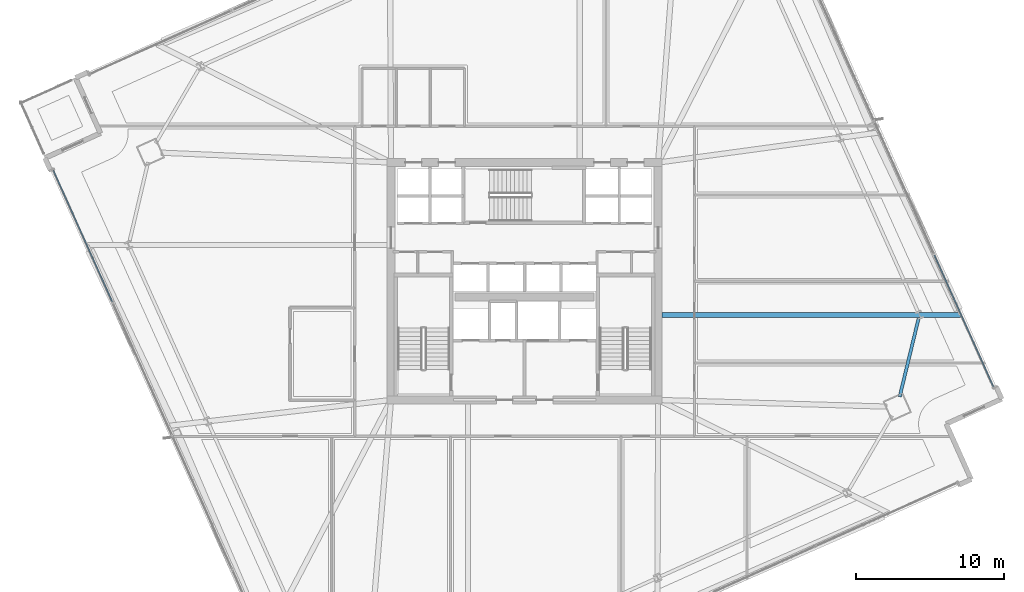
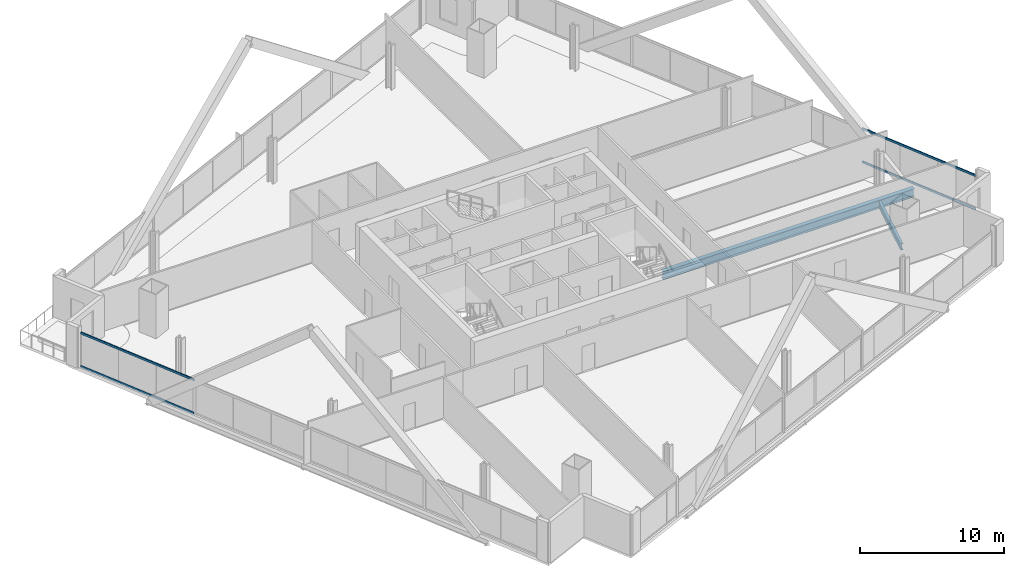
# One storey, part 13 of 38: 4 members, 2 beams, 2 elements without a shape of their own.
"""IFC4 building model written with IfcOpenShell, lengths in metres."""

import ifcopenshell
import ifcopenshell.guid

model = None  # the IFC model being written
_history = None  # IfcOwnerHistory: only IFC2X3 demands one
_inside = {}  # id of a spatial element -> (the spatial element, [elements in it])
_under = {}  # id of a project, library or spatial element -> (it, [spatial elements below it])
_declared = {}  # id of a project -> (the project, [libraries it declares])
_typed = {}  # id of a type object -> (the type object, [elements of that type])
_made_of = {}  # id of a material, layer set ... -> (it, [elements and type objects made of it])


def new_model(schema):
    """Start an empty IFC model of exactly this schema.

    Asked for "IFC4X3", IfcOpenShell would pick the latest addendum, in which some entities
    have other attributes; the version numbers below select the first issue.
    IFC2X3 requires an IfcOwnerHistory on every rooted entity: one is made here for all.
    """
    global model, _history
    if schema == "IFC4X3":
        model = ifcopenshell.file(schema_version=(4, 3, 0, 0))
    else:
        model = ifcopenshell.file(schema=schema)
    _inside.clear()
    _under.clear()
    _declared.clear()
    _typed.clear()
    _made_of.clear()
    _history = None
    if model.schema == "IFC2X3":
        org = make("IfcOrganization", Name="unknown")
        user = make(
            "IfcPersonAndOrganization",
            ThePerson=make("IfcPerson", FamilyName="unknown"),
            TheOrganization=org,
        )
        app = make(
            "IfcApplication",
            ApplicationDeveloper=org,
            Version="unknown",
            ApplicationFullName="unknown",
            ApplicationIdentifier="unknown",
        )
        _history = make(
            "IfcOwnerHistory",
            OwningUser=user,
            OwningApplication=app,
            ChangeAction="ADDED",
            CreationDate=0,
        )
    return model


def make(cls, **values):
    """One entity of the class cls with the attributes given. An attribute that is None is left unset."""
    return model.create_entity(
        cls, **{name: value for name, value in values.items() if value is not None}
    )


def rooted(cls, **values):
    """An entity with a GlobalId (a new one), such as an element, a storey or a relation."""
    return make(cls, GlobalId=ifcopenshell.guid.new(), OwnerHistory=_history, **values)


def si_unit(unit_type, name, prefix=None):
    """IfcSIUnit, for example si_unit("LENGTHUNIT", "METRE", prefix="MILLI")."""
    return make("IfcSIUnit", UnitType=unit_type, Prefix=prefix, Name=name)


def assignment(units):
    """IfcUnitAssignment: the units of a project."""
    return None if units is None else make("IfcUnitAssignment", Units=units)


def point(xyz):
    """IfcCartesianPoint."""
    return None if xyz is None else make("IfcCartesianPoint", Coordinates=xyz)


def direction(xyz):
    """IfcDirection."""
    return None if xyz is None else make("IfcDirection", DirectionRatios=xyz)


def frame(location, z_axis=None, x_axis=None):
    """IfcAxis2Placement3D, a coordinate frame: its origin and axes. An axis left out is left unset."""
    return make(
        "IfcAxis2Placement3D",
        Location=point(location),
        Axis=direction(z_axis),
        RefDirection=direction(x_axis),
    )


def frame_2d(location, x_axis=None):
    """IfcAxis2Placement2D, a coordinate frame in the plane: its origin and x axis."""
    return make(
        "IfcAxis2Placement2D", Location=point(location), RefDirection=direction(x_axis)
    )


def origin():
    """The frame at (0, 0, 0) with its axes left unset."""
    return frame((0.0, 0.0, 0.0))


def origin_2d():
    """The frame at (0, 0) in the plane with its x axis left unset."""
    return frame_2d((0.0, 0.0))


def place(relative_to, where):
    """IfcLocalPlacement: puts the frame where relative to a parent placement (None: the world)."""
    return make(
        "IfcLocalPlacement", PlacementRelTo=relative_to, RelativePlacement=where
    )


def context(
    kind, dimensions, precision=None, world=None, true_north=None, identifier=None
):
    """IfcGeometricRepresentationContext, for example the 3D "Model" context."""
    return make(
        "IfcGeometricRepresentationContext",
        ContextIdentifier=identifier,
        ContextType=kind,
        CoordinateSpaceDimension=dimensions,
        Precision=precision,
        WorldCoordinateSystem=world,
        TrueNorth=true_north,
    )


def subcontext(parent, identifier, kind, view, scale=None):
    """IfcGeometricRepresentationSubContext, for example "Body" below "Model"."""
    return make(
        "IfcGeometricRepresentationSubContext",
        ContextIdentifier=identifier,
        ContextType=kind,
        ParentContext=parent,
        TargetScale=scale,
        TargetView=view,
    )


def project(units=None, contexts=None):
    """IfcProject with its units and contexts."""
    return rooted(
        "IfcProject",
        Name="project",
        RepresentationContexts=contexts,
        UnitsInContext=assignment(units),
    )


def spatial(cls, under=None, at=None, **own):
    """A site, building, storey or space (cls), placed at a placement, below another one or the project."""
    s = rooted(cls, ObjectPlacement=at, **own)
    if under is not None:
        _under.setdefault(under.id(), (under, []))[1].append(s)
    return s


def profile(cls, at=None, kind="AREA", **sizes):
    """A parametric profile (cls). Its sizes go by their IFC names, for example OverallWidth=200.0."""
    return make(cls, ProfileType=kind, Position=at, **sizes)


def hollow_rectangle(**sizes):
    """IfcRectangleHollowProfileDef."""
    return profile("IfcRectangleHollowProfileDef", **sizes)


def i_section(**sizes):
    """IfcIShapeProfileDef."""
    return profile("IfcIShapeProfileDef", **sizes)


def extrude(swept, where, along, depth):
    """IfcExtrudedAreaSolid: the profile swept, set in the frame where, extruded along a direction by depth."""
    return make(
        "IfcExtrudedAreaSolid",
        SweptArea=swept,
        Position=where,
        ExtrudedDirection=direction(along),
        Depth=depth,
    )


def shape(context_of_items, identifier, shape_type, items):
    """IfcShapeRepresentation: the items that make up one representation, for example the "Body"."""
    return make(
        "IfcShapeRepresentation",
        ContextOfItems=context_of_items,
        RepresentationIdentifier=identifier,
        RepresentationType=shape_type,
        Items=items,
    )


def material(Name=None, Category=None):
    """IfcMaterial."""
    return make("IfcMaterial", Name=Name, Category=Category)


def material_profile(
    of_material, cross_section, Name=None, Category=None, Priority=None
):
    """IfcMaterialProfile: a cross section and its material."""
    return make(
        "IfcMaterialProfile",
        Name=Name,
        Material=of_material,
        Profile=cross_section,
        Priority=Priority,
        Category=Category,
    )


def profile_set(profiles, Name=None, composite=None):
    """IfcMaterialProfileSet."""
    return make(
        "IfcMaterialProfileSet",
        Name=Name,
        MaterialProfiles=profiles,
        CompositeProfile=composite,
    )


def made_of(thing, what):
    """Note that an element or type object is made of a material, layer set ...; save() writes the relation."""
    if what is not None:
        _made_of.setdefault(what.id(), (what, []))[1].append(thing)
    return thing


def type_object(cls, material=None, **own):
    """A type object (cls), such as IfcWallType, which elements share."""
    return made_of(rooted(cls, **own), material)


def element(
    cls,
    number,
    at=None,
    inside=None,
    cuts=None,
    type_object=None,
    material=None,
    context=None,
    identifier="Body",
    shape_type=None,
    held_by="IfcProductDefinitionShape",
    body=None,
    shapes=None,
    **own,
):
    """One element of the class cls, such as IfcWall. Its Tag is "e" and its number.

    at: its placement. inside: the storey or other place that contains it. cuts: it is an
    opening in that element (IfcRelVoidsElement). A single representation is given by context,
    identifier, shape_type and body (its items); several are given by shapes. held_by: the class
    of the entity that holds the representations. save() writes the other relations.
    """
    e = rooted(cls, Tag="e%d" % number, ObjectPlacement=at, **own)
    if body is not None:
        shapes = [shape(context, identifier, shape_type, body)]
    if shapes is not None:
        e.Representation = make(held_by, Representations=shapes)
    if inside is not None:
        _inside.setdefault(inside.id(), (inside, []))[1].append(e)
    if cuts is not None:
        rooted(
            "IfcRelVoidsElement", RelatingBuildingElement=cuts, RelatedOpeningElement=e
        )
    if type_object is not None:
        _typed.setdefault(type_object.id(), (type_object, []))[1].append(e)
    return made_of(e, material)


def aggregate(whole, parts):
    """IfcRelAggregates: a whole, such as a stair, and the parts it consists of."""
    return rooted("IfcRelAggregates", RelatingObject=whole, RelatedObjects=parts)


def save(model, path):
    """Write the relations noted so far, then the file.

    IfcRelAggregates (storeys below a building ...), IfcRelContainedInSpatialStructure (elements
    in a storey), IfcRelDefinesByType, IfcRelAssociatesMaterial and IfcRelDeclares: one each for
    every whole, place, type object, material and project.
    """
    for whole, parts in _under.values():
        aggregate(whole, parts)
    for where, things in _inside.values():
        rooted(
            "IfcRelContainedInSpatialStructure",
            RelatedElements=things,
            RelatingStructure=where,
        )
    for kind, things in _typed.values():
        rooted("IfcRelDefinesByType", RelatedObjects=things, RelatingType=kind)
    for what, things in _made_of.values():
        rooted("IfcRelAssociatesMaterial", RelatedObjects=things, RelatingMaterial=what)
    for by, libraries in _declared.values():
        rooted("IfcRelDeclares", RelatingContext=by, RelatedDefinitions=libraries)
    model.write(path)


model = new_model("IFC4")

# Units and contexts
model_context = context("Model", 3, precision=1e-05, world=origin(), true_north=direction((0.0, 1.0)))
body_context = subcontext(model_context, "Body", "Model", "MODEL_VIEW")
ifc_project = project(units=[si_unit("LENGTHUNIT", "METRE"), si_unit("AREAUNIT", "SQUARE_METRE"), si_unit("VOLUMEUNIT", "CUBIC_METRE"), si_unit("PLANEANGLEUNIT", "RADIAN"), si_unit("MASSUNIT", "GRAM", prefix="KILO")], contexts=[model_context])

# Site, building, storey
site_placement = place(None, origin())
site = spatial("IfcSite", under=ifc_project, at=site_placement, CompositionType="ELEMENT")
building_placement = place(site_placement, origin())
building = spatial("IfcBuilding", under=site, at=building_placement, Name="Haldenkirk Collegiate Tower", CompositionType="ELEMENT")
storey_placement = place(building_placement, frame((0.0, 0.0, 109.199951171875)))
storey = spatial("IfcBuildingStorey", under=building, at=storey_placement, Name="L26", CompositionType="ELEMENT", Elevation=109.199951171875)

# Beams
ifc_material_1 = material(Name="Steel ASTM A992 Grade 50", Category="steel")
ifc_material_profile_1 = material_profile(ifc_material_1, i_section(OverallWidth=0.35498046875, OverallDepth=0.696044921875, WebThickness=0.015380859375, FlangeThickness=0.02490234375, at=origin_2d()), Name="W27X146")
ifc_profile_set_1 = profile_set([ifc_material_profile_1], Name="Steel ASTM A992 Grade 50")
beam_type_1 = type_object("IfcBeamType", Name="BM-GIRDER-W27X146", PredefinedType="BEAM", material=ifc_profile_set_1)
beam_1_placement = place(storey_placement, frame((65.38134765625, 23.727294921875, -0.64794921875), z_axis=(-1.0, 0.0, 0.0), x_axis=(0.0, -1.0, 0.0)))
element("IfcBeam", 1, at=beam_1_placement, inside=storey, type_object=beam_type_1, Name="L26 primary floor girder 08", PredefinedType="BEAM", context=body_context, shape_type="SweptSolid", body=[
    extrude(i_section(OverallWidth=0.35498046875, OverallDepth=0.696044921875, WebThickness=0.015380859375, FlangeThickness=0.02490234375, at=origin_2d()), origin(), (0.0, 0.0, 1.0), 20.12646484375),
])
ifc_material_profile_2 = material_profile(ifc_material_1, i_section(OverallWidth=0.2119140625, OverallDepth=0.5439453125, WebThickness=0.01318359375, FlangeThickness=0.021240234375, at=origin_2d()), Name="W21X83")
ifc_profile_set_2 = profile_set([ifc_material_profile_2], Name="Steel ASTM A992 Grade 50")
beam_type_2 = type_object("IfcBeamType", Name="BM-SPANDREL-W21X83", PredefinedType="SPANDREL", material=ifc_profile_set_2)
beam_2_placement = place(storey_placement, frame((61.277587890625, 18.21826171875, -0.572021484375), z_axis=(0.234815122269, 0.972040049768, 0.0), x_axis=(-0.972040049768, 0.234815122269, 0.0)))
element("IfcBeam", 2, at=beam_2_placement, inside=storey, type_object=beam_type_2, Name="L26 perimeter spandrel beam 05", PredefinedType="SPANDREL", context=body_context, shape_type="SweptSolid", body=[
    extrude(i_section(OverallWidth=0.2119140625, OverallDepth=0.5439453125, WebThickness=0.01318359375, FlangeThickness=0.021240234375, at=origin_2d()), origin(), (0.0, 0.0, 1.0), 5.422119140625),
])

# Curtain wall, members
ifc_material_2 = material(Name="Anodised architectural bronze aluminium", Category="aluminium")
curtain_wall_type = type_object("IfcCurtainWallType", Name="CW-SYS1-CONVEX-LOW", PredefinedType="USERDEFINED", material=ifc_material_2)
curtain_wall_1_placement = place(storey_placement, origin())
curtain_wall_1 = element("IfcCurtainWall", 3, at=curtain_wall_1_placement, inside=storey, type_object=curtain_wall_type, Name="L26 Lower tower convex bronze-framed unitised curtain wall", ObjectType="UNITISED CURTAIN WALL", PredefinedType="USERDEFINED")
ifc_material_profile_3 = material_profile(ifc_material_2, hollow_rectangle(XDim=0.080078125, YDim=0.179931640625, WallThickness=0.0048828125, at=origin_2d()), Name="CW-TRN-1A")
ifc_profile_set_3 = profile_set([ifc_material_profile_3], Name="Anodised architectural bronze aluminium")
member_type = type_object("IfcMemberType", Name="CW-TRN-1A", PredefinedType="USERDEFINED", material=ifc_profile_set_3)
member_1_placement = place(storey_placement, frame((63.615966796875, 27.7626953125, 0.0400390625), z_axis=(0.409118582448, -0.912481224736, 0.0), x_axis=(0.912481224736, 0.409118582448, 0.0)))
member_1 = element("IfcMember", 4, at=member_1_placement, type_object=member_type, Name="CW-1A transom 4.1", ObjectType="TRANSOM", PredefinedType="USERDEFINED", context=body_context, shape_type="SweptSolid", body=[
    extrude(hollow_rectangle(XDim=0.080078125, YDim=0.179931640625, WallThickness=0.0048828125, at=origin_2d()), origin(), (0.0, 0.0, 1.0), 9.72998046875),
])
member_2_placement = place(storey_placement, frame((63.615966796875, 27.7626953125, 2.861083984375), z_axis=(0.409118582448, -0.912481224736, 0.0), x_axis=(0.912481224736, 0.409118582448, 0.0)))
member_2 = element("IfcMember", 5, at=member_2_placement, type_object=member_type, Name="CW-1A transom 4.2", ObjectType="TRANSOM", PredefinedType="USERDEFINED", context=body_context, shape_type="SweptSolid", body=[
    extrude(hollow_rectangle(XDim=0.080078125, YDim=0.179931640625, WallThickness=0.0048828125, at=origin_2d()), origin(), (0.0, 0.0, 1.0), 9.72998046875),
])
aggregate(curtain_wall_1, [member_1, member_2])

curtain_wall_2_placement = place(storey_placement, origin())
curtain_wall_2 = element("IfcCurtainWall", 6, at=curtain_wall_2_placement, inside=storey, type_object=curtain_wall_type, Name="L26 Lower tower convex bronze-framed unitised curtain wall", ObjectType="UNITISED CURTAIN WALL", PredefinedType="USERDEFINED")
member_3_placement = place(storey_placement, frame((8.220458984375, 24.602294921875, 0.0400390625), z_axis=(-0.409118582448, 0.912481224736, 0.0), x_axis=(-0.912481224736, -0.409118582448, 0.0)))
member_3 = element("IfcMember", 7, at=member_3_placement, type_object=member_type, Name="CW-1A transom 4.1", ObjectType="TRANSOM", PredefinedType="USERDEFINED", context=body_context, shape_type="SweptSolid", body=[
    extrude(hollow_rectangle(XDim=0.080078125, YDim=0.179931640625, WallThickness=0.0048828125, at=origin_2d()), origin(), (0.0, 0.0, 1.0), 9.72998046875),
])
member_4_placement = place(storey_placement, frame((8.220458984375, 24.602294921875, 2.861083984375), z_axis=(-0.409118582448, 0.912481224736, 0.0), x_axis=(-0.912481224736, -0.409118582448, 0.0)))
member_4 = element("IfcMember", 8, at=member_4_placement, type_object=member_type, Name="CW-1A transom 4.2", ObjectType="TRANSOM", PredefinedType="USERDEFINED", context=body_context, shape_type="SweptSolid", body=[
    extrude(hollow_rectangle(XDim=0.080078125, YDim=0.179931640625, WallThickness=0.0048828125, at=origin_2d()), origin(), (0.0, 0.0, 1.0), 9.72998046875),
])
aggregate(curtain_wall_2, [member_3, member_4])

save(model, "model.ifc")
